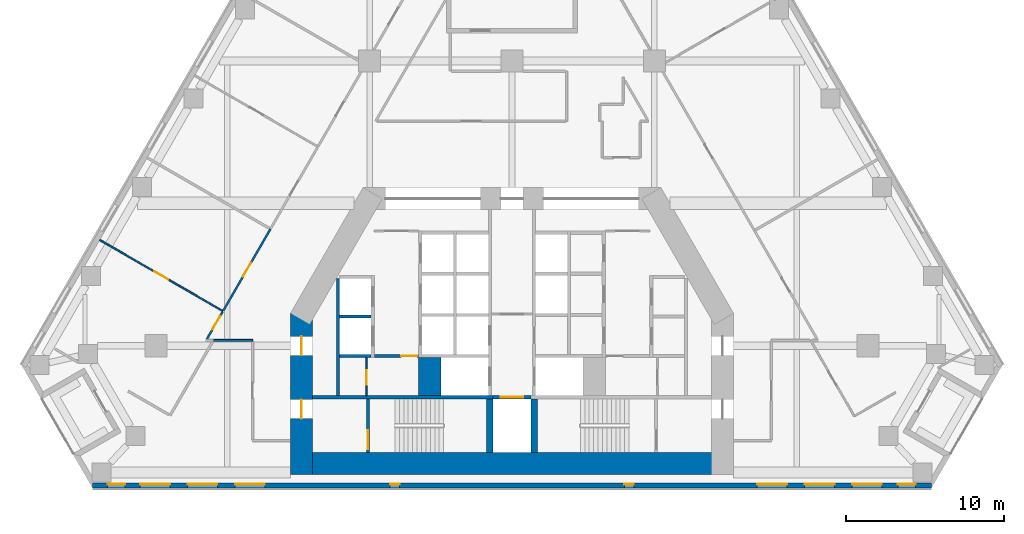
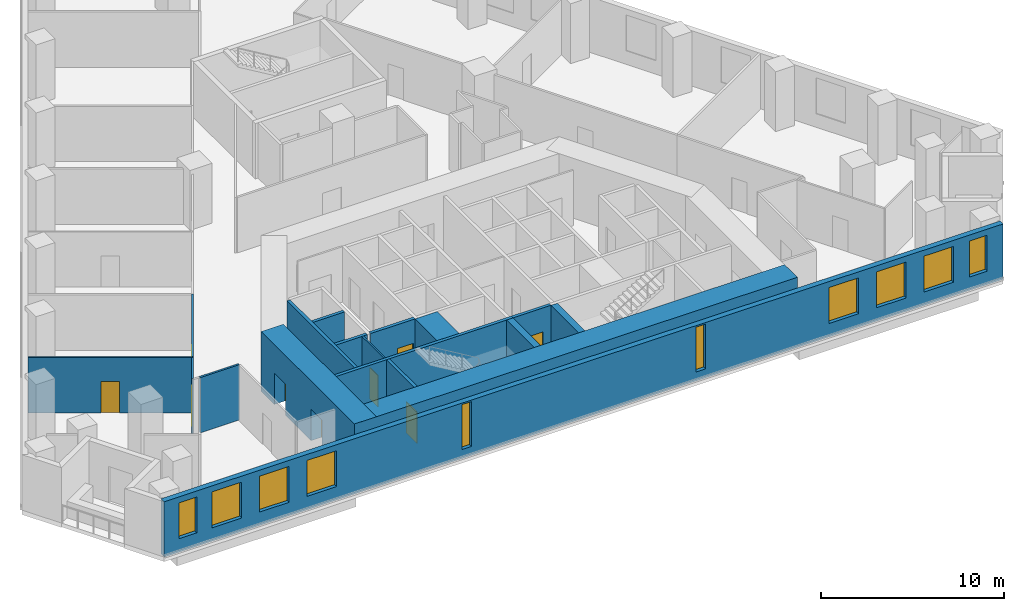
# One storey, part 3 of 9: 18 walls, 10 windows, 9 doors, 19 openings.
"""IFC4 building model written with IfcOpenShell, lengths in metres."""

from ifc_helpers import new_model, si_unit, direction, frame, frame_2d, origin, place, context, subcontext, project, spatial, rectangle, extrude, material, layer, layer_set, type_object, element, fill, save


model = new_model("IFC4")

# Units and contexts
model_context = context("Model", 3, precision=1e-05, world=origin(), true_north=direction((0.0, 1.0)))
body_context = subcontext(model_context, "Body", "Model", "MODEL_VIEW")
ifc_project = project(units=[si_unit("LENGTHUNIT", "METRE"), si_unit("AREAUNIT", "SQUARE_METRE"), si_unit("VOLUMEUNIT", "CUBIC_METRE"), si_unit("PLANEANGLEUNIT", "RADIAN"), si_unit("MASSUNIT", "GRAM", prefix="KILO")], contexts=[model_context])

# Site, building, storey
site_placement = place(None, origin())
site = spatial("IfcSite", under=ifc_project, at=site_placement, CompositionType="ELEMENT")
building_placement = place(site_placement, origin())
building = spatial("IfcBuilding", under=site, at=building_placement, Name="Fogline Exchange Tower", CompositionType="ELEMENT")
storey_placement = place(building_placement, frame((0.0, 0.0, 76.89990234375)))
storey = spatial("IfcBuildingStorey", under=building, at=storey_placement, Name="L16", CompositionType="ELEMENT", Elevation=76.89990234375)

# Wall, opening, door
ifc_material_1 = material(Name="Blockwork partition", Category="masonry")
ifc_layer_1 = layer(ifc_material_1, 0.10009765625)
ifc_layer_set_1 = layer_set([ifc_layer_1], Name="CW10")
wall_type_1 = type_object("IfcWallType", Name="CW10", PredefinedType="PARTITIONING", material=ifc_layer_set_1)
wall_1_placement = place(storey_placement, frame((-9.199951171875, 5.85009765625, 0.0), z_axis=(0.0, 0.0, 1.0), x_axis=(0.0, 1.0, 0.0)))
wall_1 = element("IfcWall", 1, at=wall_1_placement, inside=storey, type_object=wall_type_1, Name="WC partition", PredefinedType="PARTITIONING", context=body_context, shape_type="SweptSolid", body=[
    extrude(rectangle(XDim=2.39990234375, YDim=0.10009765625, at=frame_2d((1.199951171875, 0.0))), origin(), (0.0, 0.0, 1.0), 3.7001953125),
])
opening_1_placement = place(wall_1_placement, frame((0.699951171875, 0.0, 0.0)))
opening_1 = element("IfcOpeningElement", 2, at=opening_1_placement, cuts=wall_1, Name="Opening T05-C009", PredefinedType="OPENING", context=body_context, shape_type="SweptSolid", body=[
    extrude(rectangle(XDim=0.89990234375, YDim=2.10009765625, at=frame_2d((0.449951171875, 1.050048828125))), frame((0.0, 0.06005859375, 0.0), z_axis=(0.0, -1.0, 0.0), x_axis=(1.0, 0.0, 0.0)), (0.0, 0.0, 1.0), 0.1201171875),
])
ifc_material_2 = material(Name="Steel and timber fire door", Category="steel")
door_type_1 = type_object("IfcDoorType", Name="D-CS1", OperationType="SINGLE_SWING_RIGHT", PredefinedType="DOOR", material=ifc_material_2)
door_1_placement = place(opening_1_placement, origin())
door_1 = element("IfcDoor", 3, at=door_1_placement, inside=storey, type_object=door_type_1, Name="Door to Cleaner's Store", OperationType="SINGLE_SWING_LEFT", OverallHeight=2.10009765625, OverallWidth=0.89990234375, PredefinedType="DOOR", context=body_context, shape_type="SweptSolid", body=[
    extrude(rectangle(XDim=0.89990234375, YDim=2.10009765625, at=frame_2d((0.449951171875, 1.050048828125))), frame((0.0, 0.02490234375, 0.0), z_axis=(0.0, -1.0, 0.0), x_axis=(1.0, 0.0, 0.0)), (0.0, 0.0, 1.0), 0.050048828125),
])
fill(opening_1, door_1)

# Walls
ifc_material_3 = material(Name="Concrete C60", Category="concrete")
ifc_layer_2 = layer(ifc_material_3, 1.39990234375)
ifc_layer_set_2 = layer_set([ifc_layer_2], Name="CW140")
wall_type_2 = type_object("IfcWallType", Name="CW140", PredefinedType="SOLIDWALL", material=ifc_layer_set_2)
wall_2_placement = place(storey_placement, frame((-5.199951171875, 5.85009765625, -0.2998046875), z_axis=(0.0, 0.0, 1.0), x_axis=(0.0, 1.0, 0.0)))
element("IfcWall", 4, at=wall_2_placement, inside=storey, type_object=wall_type_2, Name="Lift shaft block wall", PredefinedType="SOLIDWALL", context=body_context, shape_type="SweptSolid", body=[
    extrude(rectangle(XDim=2.39990234375, YDim=1.39990234375, at=frame_2d((1.199951171875, 0.0))), origin(), (0.0, 0.0, 1.0), 4.0),
])
ifc_material_4 = material(Name="Concrete C40", Category="concrete")
ifc_layer_3 = layer(ifc_material_4, 0.199951171875)
ifc_layer_set_3 = layer_set([ifc_layer_3], Name="CW20")
wall_type_3 = type_object("IfcWallType", Name="CW20", PredefinedType="SOLIDWALL", material=ifc_layer_set_3)
wall_3_placement = place(storey_placement, frame((-11.0, 5.85009765625, 0.0), z_axis=(0.0, 0.0, 1.0), x_axis=(0.0, 1.0, 0.0)))
element("IfcWall", 5, at=wall_3_placement, inside=storey, type_object=wall_type_3, Name="Service room wall", PredefinedType="SOLIDWALL", context=body_context, shape_type="SweptSolid", body=[
    extrude(rectangle(XDim=7.39990234375, YDim=0.199951171875, at=frame_2d((3.699951171875, 0.0))), origin(), (0.0, 0.0, 1.0), 3.7001953125),
])

# Wall, opening, door
wall_4_placement = place(storey_placement, frame((-8.699951171875, 8.35009765625, 0.0), z_axis=(0.0, 0.0, 1.0), x_axis=(1.0, 0.0, 0.0)))
wall_4 = element("IfcWall", 6, at=wall_4_placement, inside=storey, type_object=wall_type_3, Name="WC wall", PredefinedType="SOLIDWALL", context=body_context, shape_type="SweptSolid", body=[
    extrude(rectangle(XDim=2.800048828125, YDim=0.199951171875, at=frame_2d((1.39990234375, 0.0))), origin(), (0.0, 0.0, 1.0), 3.7001953125),
])
opening_2_placement = place(wall_4_placement, frame((1.699951171875, 0.0, 0.0)))
opening_2 = element("IfcOpeningElement", 7, at=opening_2_placement, cuts=wall_4, Name="Opening T05-C008", PredefinedType="OPENING", context=body_context, shape_type="SweptSolid", body=[
    extrude(rectangle(XDim=1.0, YDim=2.10009765625, at=frame_2d((0.5, 1.050048828125))), frame((0.0, 0.10986328125, 0.0), z_axis=(0.0, -1.0, 0.0), x_axis=(1.0, 0.0, 0.0)), (0.0, 0.0, 1.0), 0.219970703125),
])
door_type_2 = type_object("IfcDoorType", Name="D-WC1", OperationType="SINGLE_SWING_LEFT", PredefinedType="DOOR", material=ifc_material_2)
door_2_placement = place(opening_2_placement, frame((1.0, 0.0, 0.0), z_axis=(0.0, 0.0, 1.0), x_axis=(-1.0, 0.0, 0.0)))
door_2 = element("IfcDoor", 8, at=door_2_placement, inside=storey, type_object=door_type_2, Name="Door to Men's WC", OperationType="SINGLE_SWING_LEFT", OverallHeight=2.10009765625, OverallWidth=1.0, PredefinedType="DOOR", context=body_context, shape_type="SweptSolid", body=[
    extrude(rectangle(XDim=1.0, YDim=2.10009765625, at=frame_2d((0.5, 1.050048828125))), frame((0.0, 0.02490234375, 0.0), z_axis=(0.0, -1.0, 0.0), x_axis=(1.0, 0.0, 0.0)), (0.0, 0.0, 1.0), 0.050048828125),
])
fill(opening_2, door_2)

# Wall
ifc_layer_4 = layer(ifc_material_4, 0.199951171875)
ifc_layer_set_4 = layer_set([ifc_layer_4], Name="CW20R")
wall_type_4 = type_object("IfcWallType", Name="CW20R", PredefinedType="SOLIDWALL", material=ifc_layer_set_4)
wall_5_placement = place(storey_placement, frame((-12.60009765625, 5.75, -0.2998046875), z_axis=(0.0, 0.0, 1.0), x_axis=(1.0, 0.0, 0.0)))
element("IfcWall", 9, at=wall_5_placement, inside=storey, type_object=wall_type_4, Name="Stair enclosure wall", PredefinedType="SOLIDWALL", context=body_context, shape_type="SweptSolid", body=[
    extrude(rectangle(XDim=11.400146484375, YDim=0.199951171875, at=frame_2d((5.7001953125, 0.0))), origin(), (0.0, 0.0, 1.0), 4.0),
])

# Wall, opening, door
wall_6_placement = place(storey_placement, frame((-1.199951171875, 5.75, -0.2998046875), z_axis=(0.0, 0.0, 1.0), x_axis=(1.0, 0.0, 0.0)))
wall_6 = element("IfcWall", 10, at=wall_6_placement, inside=storey, type_object=wall_type_4, Name="Stair enclosure wall", PredefinedType="SOLIDWALL", context=body_context, shape_type="SweptSolid", body=[
    extrude(rectangle(XDim=2.39990234375, YDim=0.199951171875, at=frame_2d((1.199951171875, 0.0))), origin(), (0.0, 0.0, 1.0), 4.0),
])
opening_3_placement = place(wall_6_placement, frame((0.5, 0.0, 0.300048828125)))
opening_3 = element("IfcOpeningElement", 11, at=opening_3_placement, cuts=wall_6, Name="Opening T05-LD09", PredefinedType="OPENING", context=body_context, shape_type="SweptSolid", body=[
    extrude(rectangle(XDim=1.39990234375, YDim=2.10009765625, at=frame_2d((0.699951171875, 1.050048828125))), frame((0.0, 0.10986328125, 0.0), z_axis=(0.0, -1.0, 0.0), x_axis=(1.0, 0.0, 0.0)), (0.0, 0.0, 1.0), 0.219970703125),
])
door_type_3 = type_object("IfcDoorType", Name="LD3", OperationType="SLIDING_TO_LEFT", PredefinedType="DOOR", material=ifc_material_2)
door_3_placement = place(opening_3_placement, origin())
door_3 = element("IfcDoor", 12, at=door_3_placement, inside=storey, type_object=door_type_3, Name="Landing door GL1", OperationType="SLIDING_TO_LEFT", OverallHeight=2.10009765625, OverallWidth=1.39990234375, PredefinedType="DOOR", context=body_context, shape_type="SweptSolid", body=[
    extrude(rectangle(XDim=1.39990234375, YDim=2.10009765625, at=frame_2d((0.699951171875, 1.050048828125))), frame((0.0, 0.02490234375, 0.0), z_axis=(0.0, -1.0, 0.0), x_axis=(1.0, 0.0, 0.0)), (0.0, 0.0, 1.0), 0.050048828125),
])
fill(opening_3, door_3)

wall_7_placement = place(storey_placement, frame((-9.10009765625, 2.25, -0.2998046875), z_axis=(0.0, 0.0, 1.0), x_axis=(0.0, 1.0, 0.0)))
wall_7 = element("IfcWall", 13, at=wall_7_placement, inside=storey, type_object=wall_type_4, Name="Stair enclosure wall", PredefinedType="SOLIDWALL", context=body_context, shape_type="SweptSolid", body=[
    extrude(rectangle(XDim=3.39990234375, YDim=0.199951171875, at=frame_2d((1.699951171875, 0.0))), origin(), (0.0, 0.0, 1.0), 4.0),
])
opening_4_placement = place(wall_7_placement, frame((0.199951171875, 0.0, 0.300048828125)))
opening_4 = element("IfcOpeningElement", 14, at=opening_4_placement, cuts=wall_7, Name="Opening T05-C011", PredefinedType="OPENING", context=body_context, shape_type="SweptSolid", body=[
    extrude(rectangle(XDim=1.199951171875, YDim=2.10009765625, at=frame_2d((0.60009765625, 1.050048828125))), frame((0.0, 0.10986328125, 0.0), z_axis=(0.0, -1.0, 0.0), x_axis=(1.0, 0.0, 0.0)), (0.0, 0.0, 1.0), 0.219970703125),
])
door_type_4 = type_object("IfcDoorType", Name="D-ST1", OperationType="SINGLE_SWING_LEFT", PredefinedType="DOOR", material=ifc_material_2)
door_4_placement = place(opening_4_placement, frame((1.199951171875, 0.0, 0.0), z_axis=(0.0, 0.0, 1.0), x_axis=(-1.0, 0.0, 0.0)))
door_4 = element("IfcDoor", 15, at=door_4_placement, inside=storey, type_object=door_type_4, Name="Stair door ST1", OperationType="SINGLE_SWING_RIGHT", OverallHeight=2.10009765625, OverallWidth=1.199951171875, PredefinedType="DOOR", context=body_context, shape_type="SweptSolid", body=[
    extrude(rectangle(XDim=1.199951171875, YDim=2.10009765625, at=frame_2d((0.60009765625, 1.050048828125))), frame((0.0, 0.02490234375, 0.0), z_axis=(0.0, -1.0, 0.0), x_axis=(1.0, 0.0, 0.0)), (0.0, 0.0, 1.0), 0.050048828125),
])
fill(opening_4, door_4)

# Walls
ifc_layer_5 = layer(ifc_material_4, 0.199951171875)
ifc_layer_set_5 = layer_set([ifc_layer_5], Name="CW20S")
wall_type_5 = type_object("IfcWallType", Name="CW20S", PredefinedType="SOLIDWALL", material=ifc_layer_set_5)
for number, where, z_axis, x_axis, name in (
    (16, (-10.89990234375, 8.35009765625, -0.2998046875), (0.0, 0.0, 1.0), (1.0, 0.0, 0.0), "Lift shaft wall"),
    (17, (-10.89990234375, 10.85009765625, -0.2998046875), (0.0, 0.0, 1.0), (1.0, 0.0, 0.0), "Lift shaft wall"),
):
    element("IfcWall", number, at=place(storey_placement, frame(where, z_axis=z_axis, x_axis=x_axis)), inside=storey, type_object=wall_type_5, Name=name, PredefinedType="SOLIDWALL", context=body_context, shape_type="SweptSolid", body=[
        extrude(rectangle(XDim=2.0, YDim=0.199951171875, at=frame_2d((1.0, 0.0))), origin(), (0.0, 0.0, 1.0), 4.0),
    ])
ifc_layer_6 = layer(ifc_material_4, 0.39990234375)
ifc_layer_set_6 = layer_set([ifc_layer_6], Name="CW40R")
wall_type_6 = type_object("IfcWallType", Name="CW40R", PredefinedType="SOLIDWALL", material=ifc_layer_set_6)
for number, where, z_axis, x_axis, name in (
    (18, (-1.39990234375, 2.25, -0.2998046875), (0.0, 0.0, 1.0), (0.0, 1.0, 0.0), "Stair and lift shaft wall"),
    (19, (1.39990234375, 2.25, -0.2998046875), (0.0, 0.0, 1.0), (0.0, 1.0, 0.0), "Stair and lift shaft wall"),
):
    element("IfcWall", number, at=place(storey_placement, frame(where, z_axis=z_axis, x_axis=x_axis)), inside=storey, type_object=wall_type_6, Name=name, PredefinedType="SOLIDWALL", context=body_context, shape_type="SweptSolid", body=[
        extrude(rectangle(XDim=3.39990234375, YDim=0.39990234375, at=frame_2d((1.699951171875, 0.0))), origin(), (0.0, 0.0, 1.0), 4.0),
    ])

# Wall, openings, windows
ifc_material_5 = material(Name="Brick masonry", Category="masonry")
ifc_layer_7 = layer(ifc_material_5, 0.340087890625)
ifc_layer_set_7 = layer_set([ifc_layer_7], Name="FW1")
wall_type_7 = type_object("IfcWallType", Name="FW1", PredefinedType="SOLIDWALL", material=ifc_layer_set_7)
wall_8_placement = place(storey_placement, frame((-26.510498046875, 0.169921875, 0.0), z_axis=(0.0, 0.0, 1.0), x_axis=(1.0, 0.0, 0.0)))
wall_8 = element("IfcWall", 20, at=wall_8_placement, inside=storey, type_object=wall_type_7, Name="Brick wall L16 S", PredefinedType="SOLIDWALL", context=body_context, shape_type="SweptSolid", body=[
    extrude(rectangle(XDim=53.02099609375, YDim=0.340087890625, at=frame_2d((26.510498046875, 0.0))), origin(), (0.0, 0.0, 1.0), 3.7001953125),
])
opening_5_placement = place(wall_8_placement, frame((3.010498046875, 0.0, 0.89990234375)))
opening_5 = element("IfcOpeningElement", 21, at=opening_5_placement, cuts=wall_8, Name="Opening W1", PredefinedType="OPENING", context=body_context, shape_type="SweptSolid", body=[
    extrude(rectangle(XDim=1.885009765625, YDim=2.39990234375, at=frame_2d((0.9423828125, 1.199951171875))), frame((0.0, 0.18017578125, 0.0), z_axis=(0.0, -1.0, 0.0), x_axis=(1.0, 0.0, 0.0)), (0.0, 0.0, 1.0), 0.360107421875),
])
opening_6_placement = place(wall_8_placement, frame((6.010498046875, 0.0, 0.89990234375)))
opening_6 = element("IfcOpeningElement", 22, at=opening_6_placement, cuts=wall_8, Name="Opening W1", PredefinedType="OPENING", context=body_context, shape_type="SweptSolid", body=[
    extrude(rectangle(XDim=1.885009765625, YDim=2.39990234375, at=frame_2d((0.9423828125, 1.199951171875))), frame((0.0, 0.18017578125, 0.0), z_axis=(0.0, -1.0, 0.0), x_axis=(1.0, 0.0, 0.0)), (0.0, 0.0, 1.0), 0.360107421875),
])
opening_7_placement = place(wall_8_placement, frame((9.010498046875, 0.0, 0.89990234375)))
opening_7 = element("IfcOpeningElement", 23, at=opening_7_placement, cuts=wall_8, Name="Opening W1", PredefinedType="OPENING", context=body_context, shape_type="SweptSolid", body=[
    extrude(rectangle(XDim=1.885009765625, YDim=2.39990234375, at=frame_2d((0.9423828125, 1.199951171875))), frame((0.0, 0.18017578125, 0.0), z_axis=(0.0, -1.0, 0.0), x_axis=(1.0, 0.0, 0.0)), (0.0, 0.0, 1.0), 0.360107421875),
])
opening_8_placement = place(wall_8_placement, frame((42.010498046875, 0.0, 0.89990234375)))
opening_8 = element("IfcOpeningElement", 24, at=opening_8_placement, cuts=wall_8, Name="Opening W1", PredefinedType="OPENING", context=body_context, shape_type="SweptSolid", body=[
    extrude(rectangle(XDim=1.885009765625, YDim=2.39990234375, at=frame_2d((0.9423828125, 1.199951171875))), frame((0.0, 0.18017578125, 0.0), z_axis=(0.0, -1.0, 0.0), x_axis=(1.0, 0.0, 0.0)), (0.0, 0.0, 1.0), 0.360107421875),
])
opening_9_placement = place(wall_8_placement, frame((45.010498046875, 0.0, 0.89990234375)))
opening_9 = element("IfcOpeningElement", 25, at=opening_9_placement, cuts=wall_8, Name="Opening W1", PredefinedType="OPENING", context=body_context, shape_type="SweptSolid", body=[
    extrude(rectangle(XDim=1.885009765625, YDim=2.39990234375, at=frame_2d((0.9423828125, 1.199951171875))), frame((0.0, 0.18017578125, 0.0), z_axis=(0.0, -1.0, 0.0), x_axis=(1.0, 0.0, 0.0)), (0.0, 0.0, 1.0), 0.360107421875),
])
opening_10_placement = place(wall_8_placement, frame((48.010498046875, 0.0, 0.89990234375)))
opening_10 = element("IfcOpeningElement", 26, at=opening_10_placement, cuts=wall_8, Name="Opening W1", PredefinedType="OPENING", context=body_context, shape_type="SweptSolid", body=[
    extrude(rectangle(XDim=1.885009765625, YDim=2.39990234375, at=frame_2d((0.9423828125, 1.199951171875))), frame((0.0, 0.18017578125, 0.0), z_axis=(0.0, -1.0, 0.0), x_axis=(1.0, 0.0, 0.0)), (0.0, 0.0, 1.0), 0.360107421875),
])
opening_11_placement = place(wall_8_placement, frame((0.94775390625, 0.0, 0.89990234375)))
opening_11 = element("IfcOpeningElement", 27, at=opening_11_placement, cuts=wall_8, Name="Opening W4", PredefinedType="OPENING", context=body_context, shape_type="SweptSolid", body=[
    extrude(rectangle(XDim=1.114990234375, YDim=2.39990234375, at=frame_2d((0.5576171875, 1.199951171875))), frame((0.0, 0.18017578125, 0.0), z_axis=(0.0, -1.0, 0.0), x_axis=(1.0, 0.0, 0.0)), (0.0, 0.0, 1.0), 0.360107421875),
])
opening_12_placement = place(wall_8_placement, frame((50.900634765625, 0.0, 0.89990234375)))
opening_12 = element("IfcOpeningElement", 28, at=opening_12_placement, cuts=wall_8, Name="Opening W4", PredefinedType="OPENING", context=body_context, shape_type="SweptSolid", body=[
    extrude(rectangle(XDim=1.114990234375, YDim=2.39990234375, at=frame_2d((0.5576171875, 1.199951171875))), frame((0.0, 0.18017578125, 0.0), z_axis=(0.0, -1.0, 0.0), x_axis=(1.0, 0.0, 0.0)), (0.0, 0.0, 1.0), 0.360107421875),
])
opening_13_placement = place(wall_8_placement, frame((18.810546875, 0.0, 0.60009765625)))
opening_13 = element("IfcOpeningElement", 29, at=opening_13_placement, cuts=wall_8, Name="Opening W5", PredefinedType="OPENING", context=body_context, shape_type="SweptSolid", body=[
    extrude(rectangle(XDim=0.60009765625, YDim=3.0, at=frame_2d((0.300048828125, 1.5))), frame((0.0, 0.18017578125, 0.0), z_axis=(0.0, -1.0, 0.0), x_axis=(1.0, 0.0, 0.0)), (0.0, 0.0, 1.0), 0.360107421875),
])
opening_14_placement = place(wall_8_placement, frame((33.6103515625, 0.0, 0.60009765625)))
opening_14 = element("IfcOpeningElement", 30, at=opening_14_placement, cuts=wall_8, Name="Opening W5", PredefinedType="OPENING", context=body_context, shape_type="SweptSolid", body=[
    extrude(rectangle(XDim=0.60009765625, YDim=3.0, at=frame_2d((0.300048828125, 1.5))), frame((0.0, 0.18017578125, 0.0), z_axis=(0.0, -1.0, 0.0), x_axis=(1.0, 0.0, 0.0)), (0.0, 0.0, 1.0), 0.360107421875),
])
ifc_material_6 = material(Name="Aluminium and glass", Category="aluminium")
window_type_1 = type_object("IfcWindowType", Name="W1", PartitioningType="SINGLE_PANEL", PredefinedType="WINDOW", material=ifc_material_6)
window_1_placement = place(opening_5_placement, origin())
window_1 = element("IfcWindow", 31, at=window_1_placement, inside=storey, type_object=window_type_1, Name="W1 W1", OverallHeight=2.39990234375, OverallWidth=1.885009765625, PartitioningType="SINGLE_PANEL", PredefinedType="WINDOW", context=body_context, shape_type="SweptSolid", body=[
    extrude(rectangle(XDim=1.885009765625, YDim=2.39990234375, at=frame_2d((0.9423828125, 1.199951171875))), frame((0.0, 0.110107421875, 0.0), z_axis=(0.0, -1.0, 0.0), x_axis=(1.0, 0.0, 0.0)), (0.0, 0.0, 1.0), 0.06005859375),
])
fill(opening_5, window_1)
window_2_placement = place(opening_6_placement, origin())
window_2 = element("IfcWindow", 32, at=window_2_placement, inside=storey, type_object=window_type_1, Name="W1 W1", OverallHeight=2.39990234375, OverallWidth=1.885009765625, PartitioningType="SINGLE_PANEL", PredefinedType="WINDOW", context=body_context, shape_type="SweptSolid", body=[
    extrude(rectangle(XDim=1.885009765625, YDim=2.39990234375, at=frame_2d((0.9423828125, 1.199951171875))), frame((0.0, 0.110107421875, 0.0), z_axis=(0.0, -1.0, 0.0), x_axis=(1.0, 0.0, 0.0)), (0.0, 0.0, 1.0), 0.06005859375),
])
fill(opening_6, window_2)
window_3_placement = place(opening_7_placement, origin())
window_3 = element("IfcWindow", 33, at=window_3_placement, inside=storey, type_object=window_type_1, Name="W1 W1", OverallHeight=2.39990234375, OverallWidth=1.885009765625, PartitioningType="SINGLE_PANEL", PredefinedType="WINDOW", context=body_context, shape_type="SweptSolid", body=[
    extrude(rectangle(XDim=1.885009765625, YDim=2.39990234375, at=frame_2d((0.9423828125, 1.199951171875))), frame((0.0, 0.110107421875, 0.0), z_axis=(0.0, -1.0, 0.0), x_axis=(1.0, 0.0, 0.0)), (0.0, 0.0, 1.0), 0.06005859375),
])
fill(opening_7, window_3)
window_4_placement = place(opening_8_placement, origin())
window_4 = element("IfcWindow", 34, at=window_4_placement, inside=storey, type_object=window_type_1, Name="W1 W1", OverallHeight=2.39990234375, OverallWidth=1.885009765625, PartitioningType="SINGLE_PANEL", PredefinedType="WINDOW", context=body_context, shape_type="SweptSolid", body=[
    extrude(rectangle(XDim=1.885009765625, YDim=2.39990234375, at=frame_2d((0.9423828125, 1.199951171875))), frame((0.0, 0.110107421875, 0.0), z_axis=(0.0, -1.0, 0.0), x_axis=(1.0, 0.0, 0.0)), (0.0, 0.0, 1.0), 0.06005859375),
])
fill(opening_8, window_4)
window_5_placement = place(opening_9_placement, origin())
window_5 = element("IfcWindow", 35, at=window_5_placement, inside=storey, type_object=window_type_1, Name="W1 W1", OverallHeight=2.39990234375, OverallWidth=1.885009765625, PartitioningType="SINGLE_PANEL", PredefinedType="WINDOW", context=body_context, shape_type="SweptSolid", body=[
    extrude(rectangle(XDim=1.885009765625, YDim=2.39990234375, at=frame_2d((0.9423828125, 1.199951171875))), frame((0.0, 0.110107421875, 0.0), z_axis=(0.0, -1.0, 0.0), x_axis=(1.0, 0.0, 0.0)), (0.0, 0.0, 1.0), 0.06005859375),
])
fill(opening_9, window_5)
window_6_placement = place(opening_10_placement, origin())
window_6 = element("IfcWindow", 36, at=window_6_placement, inside=storey, type_object=window_type_1, Name="W1 W1", OverallHeight=2.39990234375, OverallWidth=1.885009765625, PartitioningType="SINGLE_PANEL", PredefinedType="WINDOW", context=body_context, shape_type="SweptSolid", body=[
    extrude(rectangle(XDim=1.885009765625, YDim=2.39990234375, at=frame_2d((0.9423828125, 1.199951171875))), frame((0.0, 0.110107421875, 0.0), z_axis=(0.0, -1.0, 0.0), x_axis=(1.0, 0.0, 0.0)), (0.0, 0.0, 1.0), 0.06005859375),
])
fill(opening_10, window_6)
window_type_2 = type_object("IfcWindowType", Name="W4", PartitioningType="SINGLE_PANEL", PredefinedType="WINDOW", material=ifc_material_6)
window_7_placement = place(opening_11_placement, origin())
window_7 = element("IfcWindow", 37, at=window_7_placement, inside=storey, type_object=window_type_2, Name="W4 W4", OverallHeight=2.39990234375, OverallWidth=1.114990234375, PartitioningType="SINGLE_PANEL", PredefinedType="WINDOW", context=body_context, shape_type="SweptSolid", body=[
    extrude(rectangle(XDim=1.114990234375, YDim=2.39990234375, at=frame_2d((0.5576171875, 1.199951171875))), frame((0.0, 0.110107421875, 0.0), z_axis=(0.0, -1.0, 0.0), x_axis=(1.0, 0.0, 0.0)), (0.0, 0.0, 1.0), 0.06005859375),
])
fill(opening_11, window_7)
window_8_placement = place(opening_12_placement, origin())
window_8 = element("IfcWindow", 38, at=window_8_placement, inside=storey, type_object=window_type_2, Name="W4 W4", OverallHeight=2.39990234375, OverallWidth=1.114990234375, PartitioningType="SINGLE_PANEL", PredefinedType="WINDOW", context=body_context, shape_type="SweptSolid", body=[
    extrude(rectangle(XDim=1.114990234375, YDim=2.39990234375, at=frame_2d((0.5576171875, 1.199951171875))), frame((0.0, 0.110107421875, 0.0), z_axis=(0.0, -1.0, 0.0), x_axis=(1.0, 0.0, 0.0)), (0.0, 0.0, 1.0), 0.06005859375),
])
fill(opening_12, window_8)
window_type_3 = type_object("IfcWindowType", Name="W5", PartitioningType="SINGLE_PANEL", PredefinedType="WINDOW", material=ifc_material_6)
window_9_placement = place(opening_13_placement, origin())
window_9 = element("IfcWindow", 39, at=window_9_placement, inside=storey, type_object=window_type_3, Name="W5 W5", OverallHeight=3.0, OverallWidth=0.60009765625, PartitioningType="SINGLE_PANEL", PredefinedType="WINDOW", context=body_context, shape_type="SweptSolid", body=[
    extrude(rectangle(XDim=0.60009765625, YDim=3.0, at=frame_2d((0.300048828125, 1.5))), frame((0.0, 0.110107421875, 0.0), z_axis=(0.0, -1.0, 0.0), x_axis=(1.0, 0.0, 0.0)), (0.0, 0.0, 1.0), 0.06005859375),
])
fill(opening_13, window_9)
window_10_placement = place(opening_14_placement, origin())
window_10 = element("IfcWindow", 40, at=window_10_placement, inside=storey, type_object=window_type_3, Name="W5 W5", OverallHeight=3.0, OverallWidth=0.60009765625, PartitioningType="SINGLE_PANEL", PredefinedType="WINDOW", context=body_context, shape_type="SweptSolid", body=[
    extrude(rectangle(XDim=0.60009765625, YDim=3.0, at=frame_2d((0.300048828125, 1.5))), frame((0.0, 0.110107421875, 0.0), z_axis=(0.0, -1.0, 0.0), x_axis=(1.0, 0.0, 0.0)), (0.0, 0.0, 1.0), 0.06005859375),
])
fill(opening_14, window_10)

# Wall, opening, door
ifc_material_7 = material(Name="Plasterboard partition, 2 layers each side on steel studs", Category="steel")
ifc_layer_8 = layer(ifc_material_7, 0.10009765625)
ifc_layer_set_8 = layer_set([ifc_layer_8], Name="PW1")
wall_type_8 = type_object("IfcWallType", Name="PW1", PredefinedType="PARTITIONING", material=ifc_layer_set_8)
wall_9_placement = place(storey_placement, frame((-18.265380859375, 11.189208984375, 0.0), z_axis=(0.0, 0.0, 1.0), x_axis=(-0.866024315419, 0.5000018851, 0.0)))
wall_9 = element("IfcWall", 41, at=wall_9_placement, inside=storey, type_object=wall_type_8, Name="wall-L16-W046", PredefinedType="PARTITIONING", context=body_context, shape_type="SweptSolid", body=[
    extrude(rectangle(XDim=9.0, YDim=0.10009765625, at=frame_2d((4.5, 0.0))), origin(), (0.0, 0.0, 1.0), 3.7001953125),
])
opening_15_placement = place(wall_9_placement, frame((4.0, 0.0, 0.0)))
opening_15 = element("IfcOpeningElement", 42, at=opening_15_placement, cuts=wall_9, Name="Opening T05-D018", PredefinedType="OPENING", context=body_context, shape_type="SweptSolid", body=[
    extrude(rectangle(XDim=1.0, YDim=2.10009765625, at=frame_2d((0.5, 1.050048828125))), frame((0.0, 0.06005859375, 0.0), z_axis=(0.0, -1.0, 0.0), x_axis=(1.0, 0.0, 0.0)), (0.0, 0.0, 1.0), 0.1201171875),
])
ifc_material_8 = material(Name="Timber door leaf with steel frame", Category="steel")
door_type_5 = type_object("IfcDoorType", Name="D1", OperationType="SINGLE_SWING_LEFT", PredefinedType="DOOR", material=ifc_material_8)
door_5_placement = place(opening_15_placement, frame((1.0, 0.0, 0.0), z_axis=(0.0, 0.0, 1.0), x_axis=(-1.0, 0.0, 0.0)))
door_5 = element("IfcDoor", 43, at=door_5_placement, inside=storey, type_object=door_type_5, Name="door-L16-D018", OperationType="SINGLE_SWING_RIGHT", OverallHeight=2.10009765625, OverallWidth=1.0, PredefinedType="DOOR", context=body_context, shape_type="SweptSolid", body=[
    extrude(rectangle(XDim=1.0, YDim=2.10009765625, at=frame_2d((0.5, 1.050048828125))), frame((0.0, 0.02490234375, 0.0), z_axis=(0.0, -1.0, 0.0), x_axis=(1.0, 0.0, 0.0)), (0.0, 0.0, 1.0), 0.050048828125),
])
fill(opening_15, door_5)

ifc_material_9 = material(Name="Plasterboard corridor partition with mineral wool, 2 layers each side")
ifc_layer_9 = layer(ifc_material_9, 0.125)
ifc_layer_set_9 = layer_set([ifc_layer_9], Name="PW2")
wall_type_9 = type_object("IfcWallType", Name="PW2", PredefinedType="PARTITIONING", material=ifc_layer_set_9)
wall_10_placement = place(storey_placement, frame((-18.239990234375, 11.23291015625, 0.0), z_axis=(0.0, 0.0, 1.0), x_axis=(0.499969918061, 0.866042770903, 0.0)))
wall_10 = element("IfcWall", 44, at=wall_10_placement, inside=storey, type_object=wall_type_9, Name="wall-L16-W015", PredefinedType="PARTITIONING", context=body_context, shape_type="SweptSolid", body=[
    extrude(rectangle(XDim=5.949462890625, YDim=0.125, at=frame_2d((2.974609375, 0.0))), origin(), (0.0, 0.0, 1.0), 3.7001953125),
])
opening_16_placement = place(wall_10_placement, frame((2.474609375, 0.0, 0.0)))
opening_16 = element("IfcOpeningElement", 45, at=opening_16_placement, cuts=wall_10, Name="Opening T05-D009", PredefinedType="OPENING", context=body_context, shape_type="SweptSolid", body=[
    extrude(rectangle(XDim=1.0, YDim=2.10009765625, at=frame_2d((0.5, 1.050048828125))), frame((0.0, 0.072509765625, 0.0), z_axis=(0.0, -1.0, 0.0), x_axis=(1.0, 0.0, 0.0)), (0.0, 0.0, 1.0), 0.14501953125),
])
ifc_material_10 = material(Name="Fire-rated timber door leaf with steel frame", Category="steel")
door_type_6 = type_object("IfcDoorType", Name="D3", OperationType="SINGLE_SWING_LEFT", PredefinedType="DOOR", material=ifc_material_10)
door_6_placement = place(opening_16_placement, origin())
door_6 = element("IfcDoor", 46, at=door_6_placement, inside=storey, type_object=door_type_6, Name="door-L16-D009", OperationType="SINGLE_SWING_LEFT", OverallHeight=2.10009765625, OverallWidth=1.0, PredefinedType="DOOR", context=body_context, shape_type="SweptSolid", body=[
    extrude(rectangle(XDim=1.0, YDim=2.10009765625, at=frame_2d((0.5, 1.050048828125))), frame((0.0, 0.02490234375, 0.0), z_axis=(0.0, -1.0, 0.0), x_axis=(1.0, 0.0, 0.0)), (0.0, 0.0, 1.0), 0.050048828125),
])
fill(opening_16, door_6)

wall_11_placement = place(storey_placement, frame((-19.27880859375, 9.43408203125, 0.0), z_axis=(0.0, 0.0, 1.0), x_axis=(0.499979116088, 0.866037460781, 0.0)))
wall_11 = element("IfcWall", 47, at=wall_11_placement, inside=storey, type_object=wall_type_9, Name="wall-L16-W017", PredefinedType="PARTITIONING", context=body_context, shape_type="SweptSolid", body=[
    extrude(rectangle(XDim=1.97607421875, YDim=0.125, at=frame_2d((0.988037109375, 0.0))), origin(), (0.0, 0.0, 1.0), 3.7001953125),
])
opening_17_placement = place(wall_11_placement, frame((0.682861328125, 0.0, 0.0)))
opening_17 = element("IfcOpeningElement", 48, at=opening_17_placement, cuts=wall_11, Name="Opening T05-D010", PredefinedType="OPENING", context=body_context, shape_type="SweptSolid", body=[
    extrude(rectangle(XDim=1.0, YDim=2.10009765625, at=frame_2d((0.5, 1.050048828125))), frame((0.0, 0.072509765625, 0.0), z_axis=(0.0, -1.0, 0.0), x_axis=(1.0, 0.0, 0.0)), (0.0, 0.0, 1.0), 0.14501953125),
])
door_7_placement = place(opening_17_placement, origin())
door_7 = element("IfcDoor", 49, at=door_7_placement, inside=storey, type_object=door_type_6, Name="door-L16-D010", OperationType="SINGLE_SWING_RIGHT", OverallHeight=2.10009765625, OverallWidth=1.0, PredefinedType="DOOR", context=body_context, shape_type="SweptSolid", body=[
    extrude(rectangle(XDim=1.0, YDim=2.10009765625, at=frame_2d((0.5, 1.050048828125))), frame((0.0, 0.02490234375, 0.0), z_axis=(0.0, -1.0, 0.0), x_axis=(1.0, 0.0, 0.0)), (0.0, 0.0, 1.0), 0.050048828125),
])
fill(opening_17, door_7)

# Walls
wall_12_placement = place(storey_placement, frame((-16.39990234375, 9.340087890625, 0.0), z_axis=(0.0, 0.0, 1.0), x_axis=(-1.0, 0.0, 0.0)))
element("IfcWall", 50, at=wall_12_placement, inside=storey, type_object=wall_type_9, Name="wall-L16-W018", PredefinedType="PARTITIONING", context=body_context, shape_type="SweptSolid", body=[
    extrude(rectangle(XDim=2.47119140625, YDim=0.125, at=frame_2d((1.235595703125, 0.0))), origin(), (0.0, 0.0, 1.0), 3.7001953125),
])
ifc_layer_10 = layer(ifc_material_3, 1.39990234375)
ifc_layer_set_10 = layer_set([ifc_layer_10], Name="SW01")
wall_type_10 = type_object("IfcWallType", Name="SW01", PredefinedType="SHEAR", material=ifc_layer_set_10)
wall_13_placement = place(storey_placement, frame((-14.0, 1.550048828125, 0.0), z_axis=(0.0, 0.0, 1.0), x_axis=(1.0, 0.0, 0.0)))
element("IfcWall", 51, at=wall_13_placement, inside=storey, type_object=wall_type_10, Name="L16-W901", PredefinedType="SHEAR", context=body_context, shape_type="SweptSolid", body=[
    extrude(rectangle(XDim=28.0, YDim=1.39990234375, at=frame_2d((14.0, 0.0))), origin(), (0.0, 0.0, 1.0), 4.0),
])

# Wall, openings, doors
wall_14_placement = place(storey_placement, frame((-13.300048828125, 11.052490234375, 0.0), z_axis=(0.0, 0.0, 1.0), x_axis=(0.0, -1.0, 0.0)))
wall_14 = element("IfcWall", 52, at=wall_14_placement, inside=storey, type_object=wall_type_10, Name="L16-W906", PredefinedType="SHEAR", context=body_context, shape_type="SweptSolid", body=[
    extrude(rectangle(XDim=10.202392578125, YDim=1.39990234375, at=frame_2d((5.10107421875, 0.0))), origin(), (0.0, 0.0, 1.0), 4.0),
])
opening_18_placement = place(wall_14_placement, frame((5.45263671875, 0.0, 0.0)))
opening_18 = element("IfcOpeningElement", 53, at=opening_18_placement, cuts=wall_14, Name="Opening T05-C010", PredefinedType="OPENING", context=body_context, shape_type="SweptSolid", body=[
    extrude(rectangle(XDim=1.199951171875, YDim=2.10009765625, at=frame_2d((0.60009765625, 1.050048828125))), frame((0.0, 0.7099609375, 0.0), z_axis=(0.0, -1.0, 0.0), x_axis=(1.0, 0.0, 0.0)), (0.0, 0.0, 1.0), 1.419921875),
])
opening_19_placement = place(wall_14_placement, frame((1.45263671875, 0.0, 0.0)))
opening_19 = element("IfcOpeningElement", 54, at=opening_19_placement, cuts=wall_14, Name="Opening T05-C012", PredefinedType="OPENING", context=body_context, shape_type="SweptSolid", body=[
    extrude(rectangle(XDim=1.199951171875, YDim=2.10009765625, at=frame_2d((0.60009765625, 1.050048828125))), frame((0.0, 0.7099609375, 0.0), z_axis=(0.0, -1.0, 0.0), x_axis=(1.0, 0.0, 0.0)), (0.0, 0.0, 1.0), 1.419921875),
])
door_type_7 = type_object("IfcDoorType", Name="D-FR1", OperationType="SINGLE_SWING_RIGHT", PredefinedType="DOOR", material=ifc_material_2)
door_8_placement = place(opening_18_placement, origin())
door_8 = element("IfcDoor", 55, at=door_8_placement, inside=storey, type_object=door_type_7, Name="Front room door ST1", OperationType="SINGLE_SWING_LEFT", OverallHeight=2.10009765625, OverallWidth=1.199951171875, PredefinedType="DOOR", context=body_context, shape_type="SweptSolid", body=[
    extrude(rectangle(XDim=1.199951171875, YDim=2.10009765625, at=frame_2d((0.60009765625, 1.050048828125))), frame((0.0, 0.02490234375, 0.0), z_axis=(0.0, -1.0, 0.0), x_axis=(1.0, 0.0, 0.0)), (0.0, 0.0, 1.0), 0.050048828125),
])
fill(opening_18, door_8)
door_type_8 = type_object("IfcDoorType", Name="D-SV1", OperationType="SINGLE_SWING_LEFT", PredefinedType="DOOR", material=ifc_material_2)
door_9_placement = place(opening_19_placement, origin())
door_9 = element("IfcDoor", 56, at=door_9_placement, inside=storey, type_object=door_type_8, Name="Service door W", OperationType="SINGLE_SWING_LEFT", OverallHeight=2.10009765625, OverallWidth=1.199951171875, PredefinedType="DOOR", context=body_context, shape_type="SweptSolid", body=[
    extrude(rectangle(XDim=1.199951171875, YDim=2.10009765625, at=frame_2d((0.60009765625, 1.050048828125))), frame((0.0, 0.02490234375, 0.0), z_axis=(0.0, -1.0, 0.0), x_axis=(1.0, 0.0, 0.0)), (0.0, 0.0, 1.0), 0.050048828125),
])
fill(opening_19, door_9)

save(model, "model.ifc")
